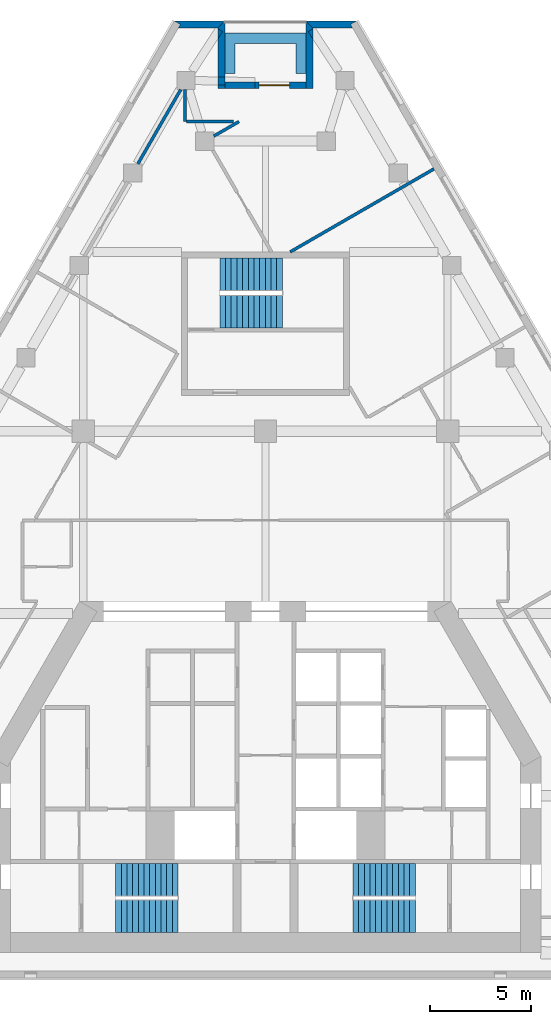
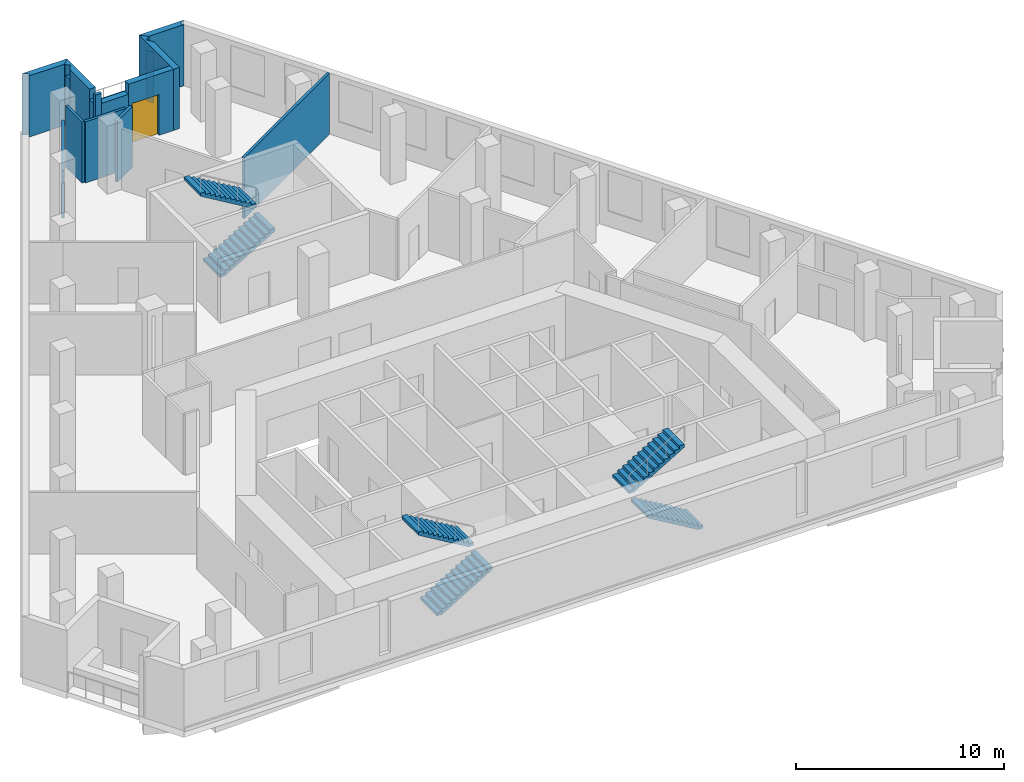
# One storey, part 8 of 9: 16 walls, 6 stair flights, 1 door, 1 opening, 3 elements without a shape of their own.
"""IFC4 building model written with IfcOpenShell, lengths in metres."""

from ifc_helpers import new_model, si_unit, direction, frame, frame_2d, origin, place, context, subcontext, project, spatial, polyline, rectangle, outline, extrude, material, layer, layer_set, type_object, element, fill, aggregate, save


model = new_model("IFC4")

# Units and contexts
model_context = context("Model", 3, precision=1e-05, world=origin(), true_north=direction((0.0, 1.0)))
body_context = subcontext(model_context, "Body", "Model", "MODEL_VIEW")
ifc_project = project(units=[si_unit("LENGTHUNIT", "METRE"), si_unit("AREAUNIT", "SQUARE_METRE"), si_unit("VOLUMEUNIT", "CUBIC_METRE"), si_unit("PLANEANGLEUNIT", "RADIAN"), si_unit("MASSUNIT", "GRAM", prefix="KILO")], contexts=[model_context])

# Site, building, storey
site_placement = place(None, origin())
site = spatial("IfcSite", under=ifc_project, at=site_placement, CompositionType="ELEMENT")
building_placement = place(site_placement, origin())
building = spatial("IfcBuilding", under=site, at=building_placement, Name="Fogline Exchange Tower", CompositionType="ELEMENT")
storey_placement = place(building_placement, frame((0.0, 0.0, 214.10009765625)))
storey = spatial("IfcBuildingStorey", under=building, at=storey_placement, Name="L48", CompositionType="ELEMENT", Elevation=214.10009765625)

# Walls
ifc_material_1 = material(Name="Brick masonry", Category="masonry")
ifc_layer_1 = layer(ifc_material_1, 0.340087890625)
ifc_layer_set_1 = layer_set([ifc_layer_1], Name="FW1")
wall_type_1 = type_object("IfcWallType", Name="FW1", PredefinedType="SOLIDWALL", material=ifc_layer_set_1)
wall_1_placement = place(storey_placement, origin())
element("IfcWall", 1, at=wall_1_placement, inside=storey, type_object=wall_type_1, Name="Brick wall L48 N-c1", PredefinedType="SOLIDWALL", context=body_context, shape_type="SweptSolid", body=[
    extrude(outline(polyline([(1.9990234375, 47.26220703125), (4.5009765625, 47.26220703125), (4.501220703125, 47.26171875), (4.206298828125, 47.09130859375), (4.3046875, 46.921142578125), (2.33984375, 46.921142578125), (1.998779296875, 47.261962890625), (1.9990234375, 47.26220703125)])), origin(), (0.0, 0.0, 1.0), 3.599853515625),
])
wall_2_placement = place(storey_placement, origin())
element("IfcWall", 2, at=wall_2_placement, inside=storey, type_object=wall_type_1, Name="Brick wall L48 N-s1", PredefinedType="SOLIDWALL", context=body_context, shape_type="SweptSolid", body=[
    extrude(outline(polyline([(2.340576171875, 46.37451171875), (2.10693359375, 46.730712890625), (2.340576171875, 46.884033203125), (2.340576171875, 46.37451171875)])), origin(), (0.0, 0.0, 1.0), 3.0),
])
wall_3_placement = place(storey_placement, origin())
element("IfcWall", 3, at=wall_3_placement, inside=storey, type_object=wall_type_1, Name="Brick wall L48 N-s1", PredefinedType="SOLIDWALL", context=body_context, shape_type="SweptSolid", body=[
    extrude(outline(polyline([(1.99951171875, 43.921142578125), (1.99951171875, 47.2626953125), (1.999755859375, 47.262939453125), (2.340576171875, 46.921875), (2.340576171875, 46.884033203125), (2.10693359375, 46.730712890625), (2.340576171875, 46.37451171875), (2.340576171875, 43.921142578125), (1.99951171875, 43.921142578125)])), origin(), (0.0, 0.0, 1.0), 3.599853515625),
])

# Wall, opening, door
wall_4_placement = place(storey_placement, frame((2.0, 44.091552734375, 0.0), z_axis=(0.0, 0.0, 1.0), x_axis=(-1.0, 0.0, 0.0)))
wall_4 = element("IfcWall", 4, at=wall_4_placement, inside=storey, type_object=wall_type_1, Name="Brick wall L48 N-bk", PredefinedType="SOLIDWALL", context=body_context, shape_type="SweptSolid", body=[
    extrude(rectangle(XDim=2.509033203125, YDim=0.340087890625, at=frame_2d((1.25439453125, 0.0))), origin(), (0.0, 0.0, 1.0), 3.599853515625),
])
opening_placement = place(wall_4_placement, frame((0.80908203125, 0.0, 0.0)))
opening = element("IfcOpeningElement", 5, at=opening_placement, cuts=wall_4, Name="Opening T15-E141", PredefinedType="OPENING", context=body_context, shape_type="SweptSolid", body=[
    extrude(rectangle(XDim=1.5, YDim=2.39990234375, at=frame_2d((0.75, 1.199951171875))), frame((0.0, 0.18017578125, 0.0), z_axis=(0.0, -1.0, 0.0), x_axis=(1.0, 0.0, 0.0)), (0.0, 0.0, 1.0), 0.360107421875),
])
ifc_material_2 = material(Name="Aluminium and glass", Category="aluminium")
door_type = type_object("IfcDoorType", Name="ED4", OperationType="SINGLE_SWING_LEFT", PredefinedType="DOOR", material=ifc_material_2)
door_placement = place(opening_placement, frame((1.5, 0.0, 0.0), z_axis=(0.0, 0.0, 1.0), x_axis=(-1.0, 0.0, 0.0)))
door = element("IfcDoor", 6, at=door_placement, inside=storey, type_object=door_type, Name="Balcony door L48 N", OperationType="DOUBLE_DOOR_SINGLE_SWING", OverallHeight=2.39990234375, OverallWidth=1.5, PredefinedType="DOOR", context=body_context, shape_type="SweptSolid", body=[
    extrude(rectangle(XDim=1.5, YDim=2.39990234375, at=frame_2d((0.75, 1.199951171875))), frame((0.0, 0.02490234375, 0.0), z_axis=(0.0, -1.0, 0.0), x_axis=(1.0, 0.0, 0.0)), (0.0, 0.0, 1.0), 0.050048828125),
])
fill(opening, door)

# Walls
wall_5_placement = place(storey_placement, frame((-0.509033203125, 44.091552734375, 0.0), z_axis=(0.0, 0.0, 1.0), x_axis=(-1.0, 0.0, 0.0)))
element("IfcWall", 7, at=wall_5_placement, inside=storey, type_object=wall_type_1, Name="Brick wall L48 N-bk", PredefinedType="SOLIDWALL", context=body_context, shape_type="SweptSolid", body=[
    extrude(rectangle(XDim=1.490966796875, YDim=0.340087890625, at=frame_2d((0.74560546875, 0.0))), origin(), (0.0, 0.0, 1.0), 3.0),
])
wall_6_placement = place(storey_placement, origin())
element("IfcWall", 8, at=wall_6_placement, inside=storey, type_object=wall_type_1, Name="Brick wall L48 N-s2", PredefinedType="SOLIDWALL", context=body_context, shape_type="SweptSolid", body=[
    extrude(outline(polyline([(-2.340576171875, 46.876953125), (-2.119873046875, 46.7333984375), (-2.340576171875, 46.393798828125), (-2.340576171875, 46.876953125)])), origin(), (0.0, 0.0, 1.0), 3.0),
])
wall_7_placement = place(storey_placement, origin())
element("IfcWall", 9, at=wall_7_placement, inside=storey, type_object=wall_type_1, Name="Brick wall L48 N-s2", PredefinedType="SOLIDWALL", context=body_context, shape_type="SweptSolid", body=[
    extrude(outline(polyline([(-2.340576171875, 44.50048828125), (-1.99951171875, 44.494873046875), (-1.99951171875, 44.0947265625), (-2.340576171875, 44.100341796875), (-2.340576171875, 44.50048828125)])), origin(), (0.0, 0.0, 1.0), 3.0),
])
wall_8_placement = place(storey_placement, origin())
element("IfcWall", 10, at=wall_8_placement, inside=storey, type_object=wall_type_1, Name="Brick wall L48 N-s2", PredefinedType="SOLIDWALL", context=body_context, shape_type="SweptSolid", body=[
    extrude(outline(polyline([(-2.340576171875, 43.921142578125), (-2.340576171875, 44.100341796875), (-1.99951171875, 44.0947265625), (-1.99951171875, 43.921142578125), (-2.340576171875, 43.921142578125)])), origin(), (0.0, 0.0, 1.0), 3.599853515625),
])
wall_9_placement = place(storey_placement, origin())
element("IfcWall", 11, at=wall_9_placement, inside=storey, type_object=wall_type_1, Name="Brick wall L48 N-s2", PredefinedType="SOLIDWALL", context=body_context, shape_type="SweptSolid", body=[
    extrude(outline(polyline([(-2.340576171875, 46.393798828125), (-2.119873046875, 46.7333984375), (-2.340576171875, 46.876953125), (-2.340576171875, 46.921875), (-1.999755859375, 47.262939453125), (-1.99951171875, 47.2626953125), (-1.99951171875, 44.494873046875), (-2.340576171875, 44.50048828125), (-2.340576171875, 46.393798828125)])), origin(), (0.0, 0.0, 1.0), 3.599853515625),
])
wall_10_placement = place(storey_placement, origin())
element("IfcWall", 12, at=wall_10_placement, inside=storey, type_object=wall_type_1, Name="Brick wall L48 N-c2", PredefinedType="SOLIDWALL", context=body_context, shape_type="SweptSolid", body=[
    extrude(outline(polyline([(-4.3046875, 46.921142578125), (-4.206298828125, 47.09130859375), (-4.501220703125, 47.26171875), (-4.5009765625, 47.26220703125), (-1.9990234375, 47.26220703125), (-1.998779296875, 47.261962890625), (-2.33984375, 46.921142578125), (-4.3046875, 46.921142578125)])), origin(), (0.0, 0.0, 1.0), 3.599853515625),
])
ifc_material_3 = material(Name="Concrete C30", Category="concrete")
ifc_layer_2 = layer(ifc_material_3, 0.199951171875)
ifc_layer_set_2 = layer_set([ifc_layer_2], Name="PL1")
wall_type_2 = type_object("IfcWallType", Name="PL1", PredefinedType="USERDEFINED", material=ifc_layer_set_2)
wall_11_placement = place(storey_placement, origin())
element("IfcWall", 13, at=wall_11_placement, inside=storey, type_object=wall_type_2, Name="PLANTER balcony L48 N", ObjectType="PLANTER", PredefinedType="USERDEFINED", context=body_context, shape_type="SweptSolid", body=[
    extrude(outline(polyline([(-1.5, 46.66162109375), (-2.0, 46.66162109375), (-2.0, 46.16162109375), (-2.0, 44.66162109375), (-1.5, 44.66162109375), (-1.5, 46.16162109375), (1.5, 46.16162109375), (1.5, 44.66162109375), (2.0, 44.66162109375), (2.0, 46.16162109375), (2.0, 46.66162109375), (1.5, 46.66162109375), (-1.5, 46.66162109375)])), origin(), (0.0, 0.0, 1.0), 1.099853515625),
])
ifc_material_4 = material(Name="Plasterboard demising partition with mineral wool and acoustic board")
ifc_layer_3 = layer(ifc_material_4, 0.14990234375)
ifc_layer_set_3 = layer_set([ifc_layer_3], Name="PW3")
wall_type_3 = type_object("IfcWallType", Name="PW3", PredefinedType="PARTITIONING", material=ifc_layer_set_3)
wall_12_placement = place(storey_placement, frame((1.22119140625, 35.85693359375, 0.0), z_axis=(0.0, 0.0, 1.0), x_axis=(0.866018040531, 0.500012753312, 0.0)))
element("IfcWall", 14, at=wall_12_placement, inside=storey, type_object=wall_type_3, Name="wall-L48-W026", PredefinedType="PARTITIONING", context=body_context, shape_type="SweptSolid", body=[
    extrude(rectangle(XDim=8.201904296875, YDim=0.14990234375, at=frame_2d((4.10107421875, 0.0))), origin(), (0.0, 0.0, 1.0), 3.599853515625),
])
wall_13_placement = place(storey_placement, frame((-2.550048828125, 41.577880859375, 0.0), z_axis=(0.0, 0.0, 1.0), x_axis=(0.866074936473, 0.499914197051, 0.0)))
element("IfcWall", 15, at=wall_13_placement, inside=storey, type_object=wall_type_3, Name="wall-L48-W030", PredefinedType="PARTITIONING", context=body_context, shape_type="SweptSolid", body=[
    extrude(rectangle(XDim=1.432861328125, YDim=0.14990234375, at=frame_2d((0.71630859375, 0.0))), origin(), (0.0, 0.0, 1.0), 3.599853515625),
])
wall_14_placement = place(storey_placement, frame((-6.29931640625, 40.210205078125, 0.0), z_axis=(0.0, 0.0, 1.0), x_axis=(0.499972045304, 0.866041542834, 0.0)))
element("IfcWall", 16, at=wall_14_placement, inside=storey, type_object=wall_type_3, Name="wall-L48-W033", PredefinedType="PARTITIONING", context=body_context, shape_type="SweptSolid", body=[
    extrude(rectangle(XDim=4.233642578125, YDim=0.14990234375, at=frame_2d((2.11669921875, 0.0))), origin(), (0.0, 0.0, 1.0), 2.7998046875),
])
wall_15_placement = place(storey_placement, frame((-3.967529296875, 43.876708984375, 0.0), z_axis=(0.0, 0.0, 1.0), x_axis=(0.0, -1.0, 0.0)))
element("IfcWall", 17, at=wall_15_placement, inside=storey, type_object=wall_type_3, Name="wall-L48-W034", PredefinedType="PARTITIONING", context=body_context, shape_type="SweptSolid", body=[
    extrude(rectangle(XDim=1.58251953125, YDim=0.14990234375, at=frame_2d((0.791259765625, 0.0))), origin(), (0.0, 0.0, 1.0), 3.599853515625),
])
wall_16_placement = place(storey_placement, frame((-3.892578125, 42.294189453125, 0.0), z_axis=(0.0, 0.0, 1.0), x_axis=(1.0, 0.0, 0.0)))
element("IfcWall", 18, at=wall_16_placement, inside=storey, type_object=wall_type_3, Name="wall-L48-W035", PredefinedType="PARTITIONING", context=body_context, shape_type="SweptSolid", body=[
    extrude(rectangle(XDim=2.302978515625, YDim=0.14990234375, at=frame_2d((1.1513671875, 0.0))), origin(), (0.0, 0.0, 1.0), 3.599853515625),
])

# Stair, stair flights
ifc_material_5 = material(Name="Concrete C40", Category="concrete")
stair_type = type_object("IfcStairType", Name="STR24-1667", PredefinedType="HALF_TURN_STAIR", material=ifc_material_5)
stair_1_placement = place(storey_placement, origin())
stair_1 = element("IfcStair", 19, at=stair_1_placement, inside=storey, type_object=stair_type, Name="Stair ST1", PredefinedType="HALF_TURN_STAIR")
stair_flight_type = type_object("IfcStairFlightType", Name="SF12-1667", PredefinedType="STRAIGHT", material=ifc_material_5)
stair_flight_1_placement = place(storey_placement, frame((-7.39990234375, 3.050048828125, 0.0), z_axis=(0.0, 0.0, 1.0), x_axis=(1.0, 0.0, 0.0)))
stair_flight_1 = element("IfcStairFlight", 20, at=stair_flight_1_placement, type_object=stair_flight_type, Name="ST1 flight 1", NumberOfRisers=12, NumberOfTreads=11, PredefinedType="STRAIGHT", RiserHeight=0.166666667, TreadLength=0.28, context=body_context, shape_type="SweptSolid", body=[
    extrude(outline(polyline([(0.0, 0.0), (0.0, 0.166748046875), (0.280029296875, 0.166748046875), (0.280029296875, 0.333251953125), (0.56005859375, 0.333251953125), (0.56005859375, 0.5), (0.840087890625, 0.5), (0.840087890625, 0.666748046875), (1.1201171875, 0.666748046875), (1.1201171875, 0.833251953125), (1.39990234375, 0.833251953125), (1.39990234375, 1.0), (1.679931640625, 1.0), (1.679931640625, 1.166748046875), (1.9599609375, 1.166748046875), (1.9599609375, 1.333251953125), (2.239990234375, 1.333251953125), (2.239990234375, 1.5), (2.52001953125, 1.5), (2.52001953125, 1.666748046875), (2.800048828125, 1.666748046875), (2.800048828125, 1.833251953125), (3.080078125, 1.833251953125), (3.080078125, 2.0), (3.080078125, 1.658935546875), (0.29296875, 0.0), (0.0, 0.0)])), frame((0.0, 0.800048828125, 0.0), z_axis=(0.0, -1.0, 0.0), x_axis=(1.0, 0.0, 0.0)), (0.0, 0.0, 1.0), 1.60009765625),
])
stair_flight_2_placement = place(storey_placement, frame((-4.320068359375, 4.85009765625, 2.0), z_axis=(0.0, 0.0, 1.0), x_axis=(-1.0, 0.0, 0.0)))
stair_flight_2 = element("IfcStairFlight", 21, at=stair_flight_2_placement, type_object=stair_flight_type, Name="ST1 flight 2", NumberOfRisers=12, NumberOfTreads=11, PredefinedType="STRAIGHT", RiserHeight=0.166666667, TreadLength=0.28, context=body_context, shape_type="SweptSolid", body=[
    extrude(outline(polyline([(0.0, 0.0), (0.0, 0.166748046875), (0.280029296875, 0.166748046875), (0.280029296875, 0.333251953125), (0.56005859375, 0.333251953125), (0.56005859375, 0.5), (0.840087890625, 0.5), (0.840087890625, 0.666748046875), (1.1201171875, 0.666748046875), (1.1201171875, 0.833251953125), (1.39990234375, 0.833251953125), (1.39990234375, 1.0), (1.679931640625, 1.0), (1.679931640625, 1.166748046875), (1.9599609375, 1.166748046875), (1.9599609375, 1.333251953125), (2.239990234375, 1.333251953125), (2.239990234375, 1.5), (2.52001953125, 1.5), (2.52001953125, 1.666748046875), (2.800048828125, 1.666748046875), (2.800048828125, 1.833251953125), (3.080078125, 1.833251953125), (3.080078125, 2.0), (3.080078125, 1.658935546875), (0.29296875, 0.0), (0.0, 0.0)])), frame((0.0, 0.800048828125, 0.0), z_axis=(0.0, -1.0, 0.0), x_axis=(1.0, 0.0, 0.0)), (0.0, 0.0, 1.0), 1.60009765625),
])
aggregate(stair_1, [stair_flight_1, stair_flight_2])

stair_2_placement = place(storey_placement, origin())
stair_2 = element("IfcStair", 22, at=stair_2_placement, inside=storey, type_object=stair_type, Name="Stair ST2", PredefinedType="HALF_TURN_STAIR")
stair_flight_3_placement = place(storey_placement, frame((7.39990234375, 3.050048828125, 0.0), z_axis=(0.0, 0.0, 1.0), x_axis=(-1.0, 0.0, 0.0)))
stair_flight_3 = element("IfcStairFlight", 23, at=stair_flight_3_placement, type_object=stair_flight_type, Name="ST2 flight 1", NumberOfRisers=12, NumberOfTreads=11, PredefinedType="STRAIGHT", RiserHeight=0.166666667, TreadLength=0.28, context=body_context, shape_type="SweptSolid", body=[
    extrude(outline(polyline([(0.0, 0.0), (0.0, 0.166748046875), (0.280029296875, 0.166748046875), (0.280029296875, 0.333251953125), (0.56005859375, 0.333251953125), (0.56005859375, 0.5), (0.840087890625, 0.5), (0.840087890625, 0.666748046875), (1.1201171875, 0.666748046875), (1.1201171875, 0.833251953125), (1.39990234375, 0.833251953125), (1.39990234375, 1.0), (1.679931640625, 1.0), (1.679931640625, 1.166748046875), (1.9599609375, 1.166748046875), (1.9599609375, 1.333251953125), (2.239990234375, 1.333251953125), (2.239990234375, 1.5), (2.52001953125, 1.5), (2.52001953125, 1.666748046875), (2.800048828125, 1.666748046875), (2.800048828125, 1.833251953125), (3.080078125, 1.833251953125), (3.080078125, 2.0), (3.080078125, 1.658935546875), (0.29296875, 0.0), (0.0, 0.0)])), frame((0.0, 0.800048828125, 0.0), z_axis=(0.0, -1.0, 0.0), x_axis=(1.0, 0.0, 0.0)), (0.0, 0.0, 1.0), 1.60009765625),
])
stair_flight_4_placement = place(storey_placement, frame((4.320068359375, 4.85009765625, 2.0), z_axis=(0.0, 0.0, 1.0), x_axis=(1.0, 0.0, 0.0)))
stair_flight_4 = element("IfcStairFlight", 24, at=stair_flight_4_placement, type_object=stair_flight_type, Name="ST2 flight 2", NumberOfRisers=12, NumberOfTreads=11, PredefinedType="STRAIGHT", RiserHeight=0.166666667, TreadLength=0.28, context=body_context, shape_type="SweptSolid", body=[
    extrude(outline(polyline([(0.0, 0.0), (0.0, 0.166748046875), (0.280029296875, 0.166748046875), (0.280029296875, 0.333251953125), (0.56005859375, 0.333251953125), (0.56005859375, 0.5), (0.840087890625, 0.5), (0.840087890625, 0.666748046875), (1.1201171875, 0.666748046875), (1.1201171875, 0.833251953125), (1.39990234375, 0.833251953125), (1.39990234375, 1.0), (1.679931640625, 1.0), (1.679931640625, 1.166748046875), (1.9599609375, 1.166748046875), (1.9599609375, 1.333251953125), (2.239990234375, 1.333251953125), (2.239990234375, 1.5), (2.52001953125, 1.5), (2.52001953125, 1.666748046875), (2.800048828125, 1.666748046875), (2.800048828125, 1.833251953125), (3.080078125, 1.833251953125), (3.080078125, 2.0), (3.080078125, 1.658935546875), (0.29296875, 0.0), (0.0, 0.0)])), frame((0.0, 0.800048828125, 0.0), z_axis=(0.0, -1.0, 0.0), x_axis=(1.0, 0.0, 0.0)), (0.0, 0.0, 1.0), 1.60009765625),
])
aggregate(stair_2, [stair_flight_3, stair_flight_4])

stair_3_placement = place(storey_placement, origin())
stair_3 = element("IfcStair", 25, at=stair_3_placement, inside=storey, type_object=stair_type, Name="Stair ST3", PredefinedType="HALF_TURN_STAIR")
stair_flight_5_placement = place(storey_placement, frame((-2.25, 32.906982421875, 0.0), z_axis=(0.0, 0.0, 1.0), x_axis=(1.0, 0.0, 0.0)))
stair_flight_5 = element("IfcStairFlight", 26, at=stair_flight_5_placement, type_object=stair_flight_type, Name="ST3 flight 1", NumberOfRisers=12, NumberOfTreads=11, PredefinedType="STRAIGHT", RiserHeight=0.166666667, TreadLength=0.28, context=body_context, shape_type="SweptSolid", body=[
    extrude(outline(polyline([(0.0, 0.0), (0.0, 0.166748046875), (0.280029296875, 0.166748046875), (0.280029296875, 0.333251953125), (0.56005859375, 0.333251953125), (0.56005859375, 0.5), (0.840087890625, 0.5), (0.840087890625, 0.666748046875), (1.1201171875, 0.666748046875), (1.1201171875, 0.833251953125), (1.39990234375, 0.833251953125), (1.39990234375, 1.0), (1.679931640625, 1.0), (1.679931640625, 1.166748046875), (1.9599609375, 1.166748046875), (1.9599609375, 1.333251953125), (2.239990234375, 1.333251953125), (2.239990234375, 1.5), (2.52001953125, 1.5), (2.52001953125, 1.666748046875), (2.800048828125, 1.666748046875), (2.800048828125, 1.833251953125), (3.080078125, 1.833251953125), (3.080078125, 2.0), (3.080078125, 1.658935546875), (0.29296875, 0.0), (0.0, 0.0)])), frame((0.0, 0.800048828125, 0.0), z_axis=(0.0, -1.0, 0.0), x_axis=(1.0, 0.0, 0.0)), (0.0, 0.0, 1.0), 1.60009765625),
])
stair_flight_6_placement = place(storey_placement, frame((0.830078125, 34.757080078125, 2.0), z_axis=(0.0, 0.0, 1.0), x_axis=(-1.0, 0.0, 0.0)))
stair_flight_6 = element("IfcStairFlight", 27, at=stair_flight_6_placement, type_object=stair_flight_type, Name="ST3 flight 2", NumberOfRisers=12, NumberOfTreads=11, PredefinedType="STRAIGHT", RiserHeight=0.166666667, TreadLength=0.28, context=body_context, shape_type="SweptSolid", body=[
    extrude(outline(polyline([(0.0, 0.0), (0.0, 0.166748046875), (0.280029296875, 0.166748046875), (0.280029296875, 0.333251953125), (0.56005859375, 0.333251953125), (0.56005859375, 0.5), (0.840087890625, 0.5), (0.840087890625, 0.666748046875), (1.1201171875, 0.666748046875), (1.1201171875, 0.833251953125), (1.39990234375, 0.833251953125), (1.39990234375, 1.0), (1.679931640625, 1.0), (1.679931640625, 1.166748046875), (1.9599609375, 1.166748046875), (1.9599609375, 1.333251953125), (2.239990234375, 1.333251953125), (2.239990234375, 1.5), (2.52001953125, 1.5), (2.52001953125, 1.666748046875), (2.800048828125, 1.666748046875), (2.800048828125, 1.833251953125), (3.080078125, 1.833251953125), (3.080078125, 2.0), (3.080078125, 1.658935546875), (0.29296875, 0.0), (0.0, 0.0)])), frame((0.0, 0.800048828125, 0.0), z_axis=(0.0, -1.0, 0.0), x_axis=(1.0, 0.0, 0.0)), (0.0, 0.0, 1.0), 1.60009765625),
])
aggregate(stair_3, [stair_flight_5, stair_flight_6])

save(model, "model.ifc")
